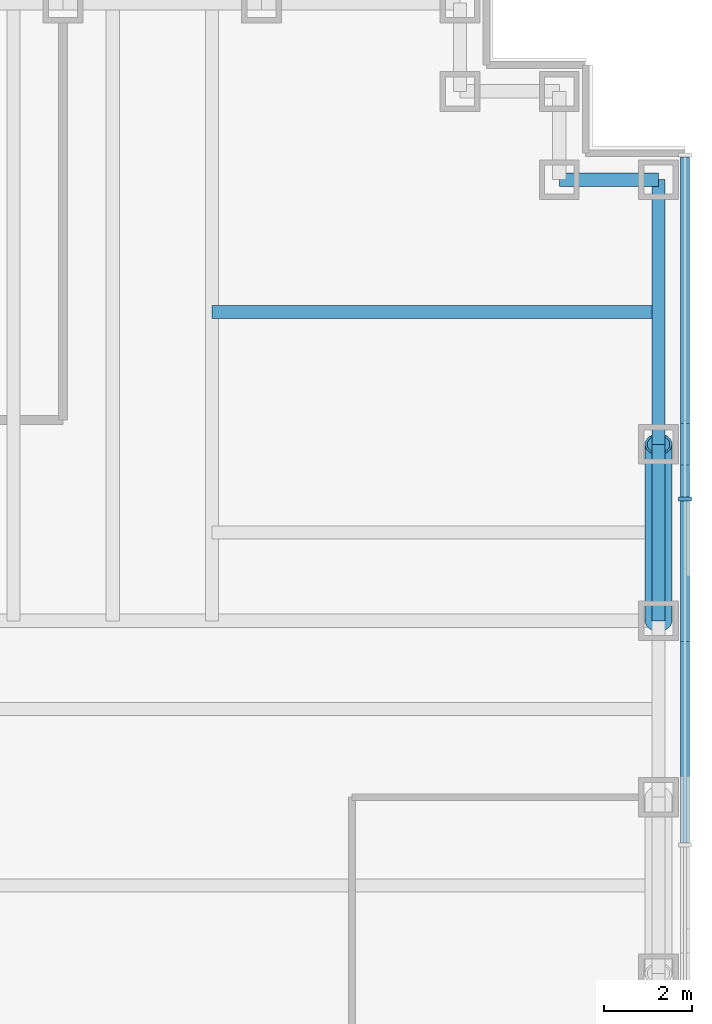
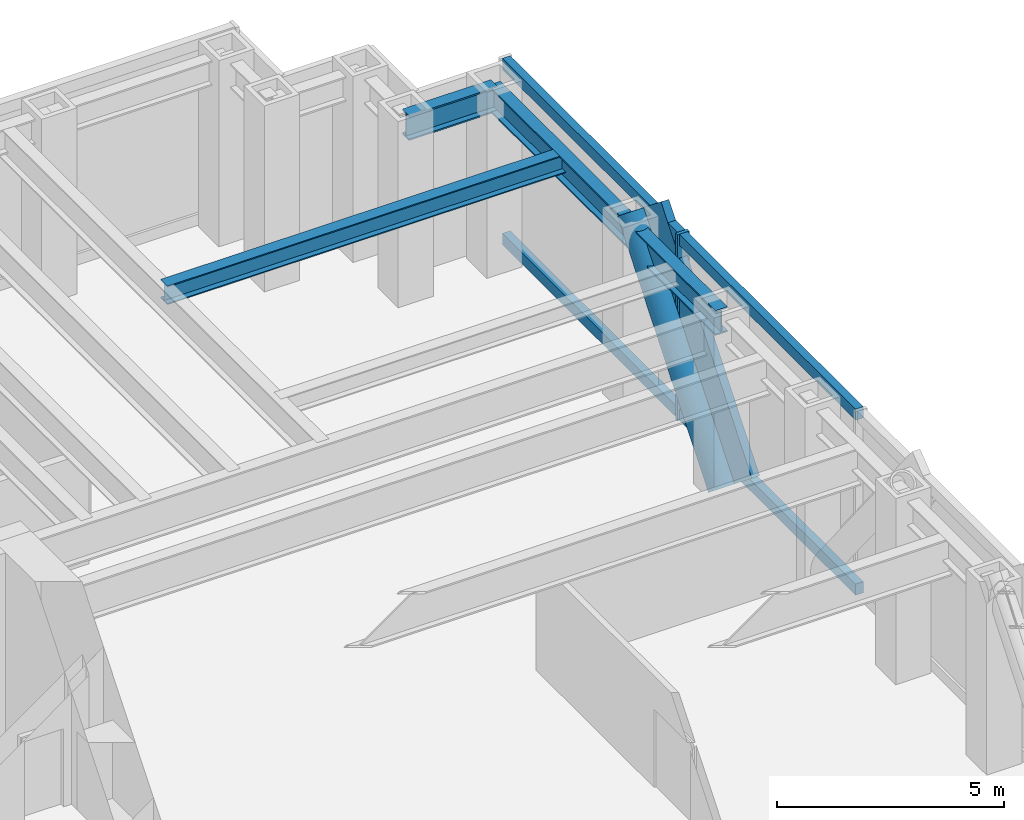
# One storey, part 8 of 17: 7 members, 4 beams, 1 element without a shape of its own.
"""IFC4 building model written with IfcOpenShell, lengths in metres."""

from ifc_helpers import new_model, si_unit, direction, frame, origin, origin_2d, place, context, subcontext, project, spatial, rectangle, hollow_circle, i_section, extrude, material, material_profile, profile_set, type_object, element, aggregate, save


model = new_model("IFC4")

# Units and contexts
model_context = context("Model", 3, precision=1e-05, world=origin(), true_north=direction((0.0, 1.0)))
body_context = subcontext(model_context, "Body", "Model", "MODEL_VIEW")
ifc_project = project(units=[si_unit("LENGTHUNIT", "METRE"), si_unit("AREAUNIT", "SQUARE_METRE"), si_unit("VOLUMEUNIT", "CUBIC_METRE"), si_unit("PLANEANGLEUNIT", "RADIAN"), si_unit("MASSUNIT", "GRAM", prefix="KILO")], contexts=[model_context])

# Site, building, storey
site_placement = place(None, origin())
site = spatial("IfcSite", under=ifc_project, at=site_placement, CompositionType="ELEMENT")
building_placement = place(site_placement, origin())
building = spatial("IfcBuilding", under=site, at=building_placement, Name="Rheinbord Bourse Tower", CompositionType="ELEMENT")
storey_placement = place(building_placement, frame((0.0, 0.0, 13.0)))
storey = spatial("IfcBuildingStorey", under=building, at=storey_placement, Name="L02", CompositionType="ELEMENT", Elevation=13.0)

# Curtain wall, members
ifc_material_1 = material(Name="Dark glass and black aluminium", Category="aluminium")
curtain_wall_type = type_object("IfcCurtainWallType", Name="CW4 DARK GLASS CURTAIN WALL", PredefinedType="USERDEFINED", material=ifc_material_1)
curtain_wall_placement = place(storey_placement, origin())
curtain_wall = element("IfcCurtainWall", 1, at=curtain_wall_placement, inside=storey, type_object=curtain_wall_type, Name="Curtain wall CW4 E L02", ObjectType="UNITISED CURTAIN WALL", PredefinedType="USERDEFINED")
ifc_material_2 = material(Name="Black anodised aluminium", Category="aluminium")
ifc_material_profile_1 = material_profile(ifc_material_2, rectangle(XDim=0.199951171875, YDim=1.2099609375, at=origin_2d()), Name="CW4 DIAGONAL MULLION 1210x200")
ifc_profile_set_1 = profile_set([ifc_material_profile_1], Name="Black anodised aluminium")
member_type_1 = type_object("IfcMemberType", Name="CW4 BLACK DIAGONAL MULLION", PredefinedType="USERDEFINED", material=ifc_profile_set_1)
member_1_placement = place(storey_placement, frame((72.60009765625, 32.0, 0.0), z_axis=(0.0, 0.624695047554, 0.780868809443), x_axis=(-1.0, 0.0, 0.0)))
member_1 = element("IfcMember", 2, at=member_1_placement, type_object=member_type_1, Name="CW4 diagonal mullion c", ObjectType="DIAGONAL MULLION", PredefinedType="USERDEFINED", context=body_context, shape_type="SweptSolid", body=[
    extrude(rectangle(XDim=0.199951171875, YDim=1.2099609375, at=origin_2d()), origin(), (0.0, 0.0, 1.0), 6.403076171875),
])
ifc_material_3 = material(Name="Black anodised aluminium", Category="aluminium")
ifc_material_profile_2 = material_profile(ifc_material_3, rectangle(XDim=0.300048828125, YDim=0.090087890625, at=origin_2d()), Name="CW4 MULLION 90x300")
ifc_profile_set_2 = profile_set([ifc_material_profile_2], Name="Black anodised aluminium")
member_type_2 = type_object("IfcMemberType", Name="CW4 BLACK MULLION", PredefinedType="MULLION", material=ifc_profile_set_2)
member_2_placement = place(storey_placement, frame((72.60009765625, 34.760009765625, 0.0), z_axis=(0.0, 0.0, 1.0), x_axis=(-1.0, 0.0, 0.0)))
member_2 = element("IfcMember", 3, at=member_2_placement, type_object=member_type_2, Name="CW4 mullion 5", PredefinedType="MULLION", context=body_context, shape_type="SweptSolid", body=[
    extrude(rectangle(XDim=0.300048828125, YDim=0.090087890625, at=origin_2d()), origin(), (0.0, 0.0, 1.0), 5.0),
])
ifc_material_4 = material(Name="Black anodised aluminium", Category="aluminium")
ifc_material_profile_3 = material_profile(ifc_material_4, rectangle(XDim=0.199951171875, YDim=0.300048828125, at=origin_2d()), Name="CW4 TRANSOM 300x200")
ifc_profile_set_3 = profile_set([ifc_material_profile_3], Name="Black anodised aluminium")
member_type_3 = type_object("IfcMemberType", Name="CW4 BLACK TRANSOM", PredefinedType="USERDEFINED", material=ifc_profile_set_3)
member_3_placement = place(storey_placement, frame((72.60009765625, 26.965087890625, 0.14990234375), z_axis=(0.0, 1.0, 0.0), x_axis=(-1.0, 0.0, 0.0)))
member_3 = element("IfcMember", 4, at=member_3_placement, type_object=member_type_3, Name="CW4 transom 4.1", ObjectType="TRANSOM", PredefinedType="USERDEFINED", context=body_context, shape_type="SweptSolid", body=[
    extrude(rectangle(XDim=0.199951171875, YDim=0.300048828125, at=origin_2d()), origin(), (0.0, 0.0, 1.0), 7.75),
])
member_4_placement = place(storey_placement, frame((72.60009765625, 26.965087890625, 4.85009765625), z_axis=(0.0, 1.0, 0.0), x_axis=(-1.0, 0.0, 0.0)))
member_4 = element("IfcMember", 5, at=member_4_placement, type_object=member_type_3, Name="CW4 transom 4.2", ObjectType="TRANSOM", PredefinedType="USERDEFINED", context=body_context, shape_type="SweptSolid", body=[
    extrude(rectangle(XDim=0.199951171875, YDim=0.300048828125, at=origin_2d()), origin(), (0.0, 0.0, 1.0), 7.75),
])
member_5_placement = place(storey_placement, frame((72.60009765625, 34.804931640625, 0.14990234375), z_axis=(0.0, 1.0, 0.0), x_axis=(-1.0, 0.0, 0.0)))
member_5 = element("IfcMember", 6, at=member_5_placement, type_object=member_type_3, Name="CW4 transom 5.1", ObjectType="TRANSOM", PredefinedType="USERDEFINED", context=body_context, shape_type="SweptSolid", body=[
    extrude(rectangle(XDim=0.199951171875, YDim=0.300048828125, at=origin_2d()), origin(), (0.0, 0.0, 1.0), 7.705078125),
])
member_6_placement = place(storey_placement, frame((72.60009765625, 34.804931640625, 4.85009765625), z_axis=(0.0, 1.0, 0.0), x_axis=(-1.0, 0.0, 0.0)))
member_6 = element("IfcMember", 7, at=member_6_placement, type_object=member_type_3, Name="CW4 transom 5.2", ObjectType="TRANSOM", PredefinedType="USERDEFINED", context=body_context, shape_type="SweptSolid", body=[
    extrude(rectangle(XDim=0.199951171875, YDim=0.300048828125, at=origin_2d()), origin(), (0.0, 0.0, 1.0), 7.705078125),
])
aggregate(curtain_wall, [member_2, member_3, member_4, member_5, member_6, member_1])

# Member
ifc_material_5 = material(Name="Steel S460", Category="steel")
ifc_material_profile_4 = material_profile(ifc_material_5, hollow_circle(Radius=0.304931640625, WallThickness=0.050048828125, at=origin_2d()), Name="CHS 610x50")
ifc_profile_set_4 = profile_set([ifc_material_profile_4], Name="Steel S460")
member_type_4 = type_object("IfcMemberType", Name="MEGABRACE CHS 610x50", PredefinedType="BRACE", material=ifc_profile_set_4)
member_7_placement = place(storey_placement, frame((72.0, 32.0, 0.0), z_axis=(0.0, 0.624695047554, 0.780868809443), x_axis=(-1.0, 0.0, 0.0)))
element("IfcMember", 8, at=member_7_placement, inside=storey, type_object=member_type_4, Name="Megabrace E face line c L02", PredefinedType="BRACE", context=body_context, shape_type="SweptSolid", body=[
    extrude(hollow_circle(Radius=0.304931640625, WallThickness=0.050048828125, at=origin_2d()), origin(), (0.0, 0.0, 1.0), 6.403076171875),
])

# Beams
ifc_material_6 = material(Name="Steel S460", Category="steel")
ifc_material_profile_5 = material_profile(ifc_material_6, i_section(OverallWidth=0.304931640625, OverallDepth=0.66796875, WebThickness=0.02099609375, FlangeThickness=0.0400390625, at=origin_2d()), Name="HEM 650")
ifc_profile_set_5 = profile_set([ifc_material_profile_5], Name="Steel S460")
beam_type_1 = type_object("IfcBeamType", Name="SPANDREL HEM 650", PredefinedType="SPANDREL", material=ifc_profile_set_5)
beam_1_placement = place(storey_placement, frame((72.0, 32.0, 4.486083984375), z_axis=(0.0, 1.0, 0.0), x_axis=(-1.0, 0.0, 0.0)))
element("IfcBeam", 9, at=beam_1_placement, inside=storey, type_object=beam_type_1, Name="Spandrel E-32-E-36 under L03", PredefinedType="SPANDREL", context=body_context, shape_type="SweptSolid", body=[
    extrude(i_section(OverallWidth=0.304931640625, OverallDepth=0.66796875, WebThickness=0.02099609375, FlangeThickness=0.0400390625, at=origin_2d()), origin(), (0.0, 0.0, 1.0), 4.0),
])
beam_2_placement = place(storey_placement, frame((72.0, 36.0, 4.486083984375), z_axis=(0.0, 1.0, 0.0), x_axis=(-1.0, 0.0, 0.0)))
element("IfcBeam", 10, at=beam_2_placement, inside=storey, type_object=beam_type_1, Name="Spandrel E-36-NE-A under L03", PredefinedType="SPANDREL", context=body_context, shape_type="SweptSolid", body=[
    extrude(i_section(OverallWidth=0.304931640625, OverallDepth=0.66796875, WebThickness=0.02099609375, FlangeThickness=0.0400390625, at=origin_2d()), origin(), (0.0, 0.0, 1.0), 6.0),
])
beam_3_placement = place(storey_placement, frame((72.0, 42.0, 4.486083984375), z_axis=(-1.0, 0.0, 0.0), x_axis=(0.0, -1.0, 0.0)))
element("IfcBeam", 11, at=beam_3_placement, inside=storey, type_object=beam_type_1, Name="Spandrel NE-A-NE-B under L03", PredefinedType="SPANDREL", context=body_context, shape_type="SweptSolid", body=[
    extrude(i_section(OverallWidth=0.304931640625, OverallDepth=0.66796875, WebThickness=0.02099609375, FlangeThickness=0.0400390625, at=origin_2d()), origin(), (0.0, 0.0, 1.0), 2.25),
])
ifc_material_7 = material(Name="Steel S460", Category="steel")
ifc_material_profile_6 = material_profile(ifc_material_7, i_section(OverallWidth=0.300048828125, OverallDepth=0.5, WebThickness=0.014404296875, FlangeThickness=0.028076171875, at=origin_2d()), Name="HEB 500")
ifc_profile_set_6 = profile_set([ifc_material_profile_6], Name="Steel S460")
beam_type_2 = type_object("IfcBeamType", Name="TIE BEAM HEB 500", PredefinedType="JOIST", material=ifc_profile_set_6)
beam_4_placement = place(storey_placement, frame((61.875, 39.0, 4.570068359375), z_axis=(1.0, 0.0, 0.0), x_axis=(0.0, 1.0, 0.0)))
element("IfcBeam", 12, at=beam_4_placement, inside=storey, type_object=beam_type_2, Name="Tie east 39 L03", PredefinedType="JOIST", context=body_context, shape_type="SweptSolid", body=[
    extrude(i_section(OverallWidth=0.300048828125, OverallDepth=0.5, WebThickness=0.014404296875, FlangeThickness=0.028076171875, at=origin_2d()), origin(), (0.0, 0.0, 1.0), 10.125),
])

save(model, "model.ifc")
